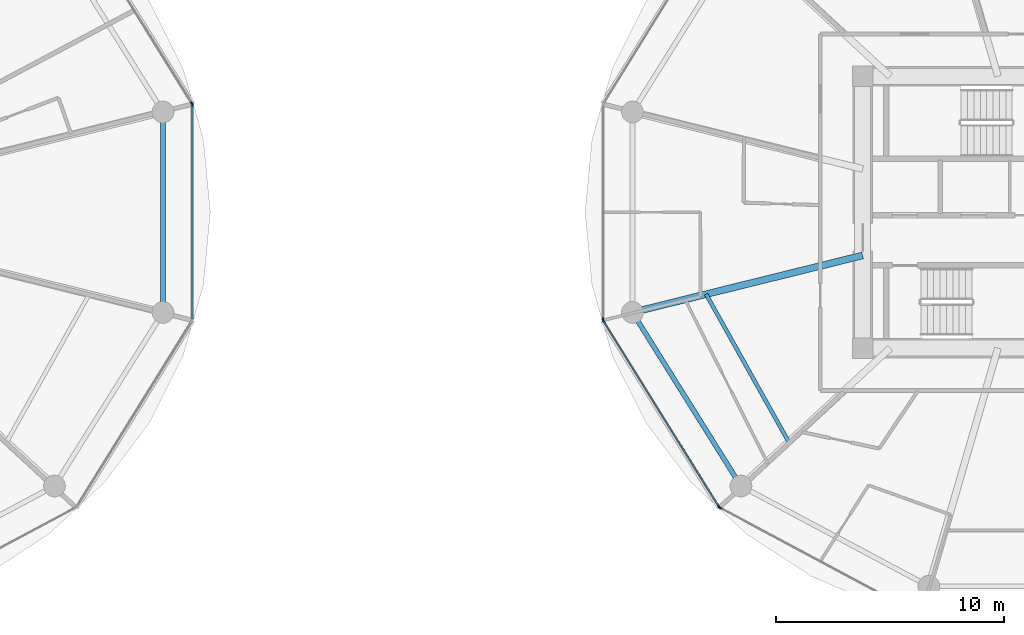
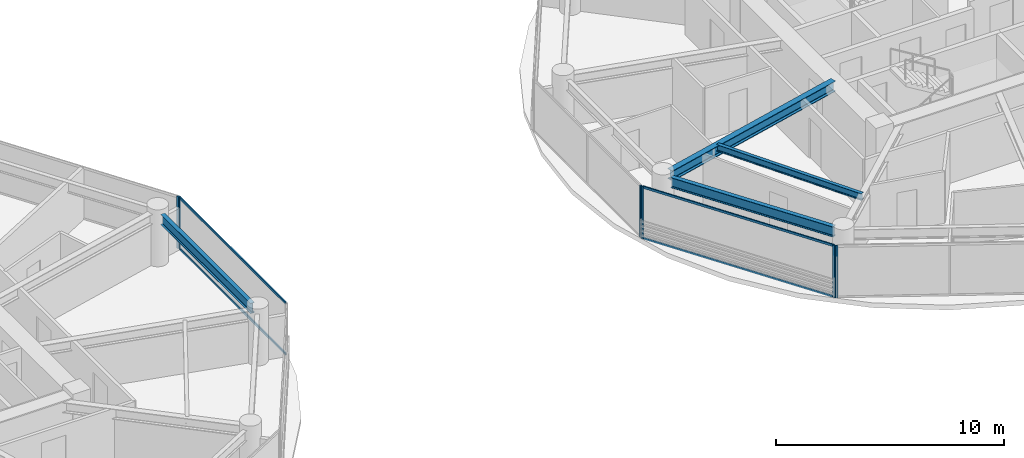
# One storey, part 6 of 27: 10 members, 4 beams, 5 elements without a shape of their own.
"""IFC4 building model written with IfcOpenShell, lengths in metres."""

from ifc_helpers import new_model, si_unit, direction, frame, origin, origin_2d, place, context, subcontext, project, spatial, rectangle, i_section, extrude, source, transform, mapped, material, layer, layer_set, material_profile, profile_set, type_object, type_shapes, element, aggregate, save


model = new_model("IFC4")

# Units and contexts
model_context = context("Model", 3, precision=1e-05, world=origin(), true_north=direction((0.0, 1.0)))
body_context = subcontext(model_context, "Body", "Model", "MODEL_VIEW")
ifc_project = project(units=[si_unit("LENGTHUNIT", "METRE"), si_unit("AREAUNIT", "SQUARE_METRE"), si_unit("VOLUMEUNIT", "CUBIC_METRE"), si_unit("PLANEANGLEUNIT", "RADIAN"), si_unit("MASSUNIT", "GRAM", prefix="KILO")], contexts=[model_context])

# Site, building, storey
site_placement = place(None, origin())
site = spatial("IfcSite", under=ifc_project, at=site_placement, CompositionType="ELEMENT")
building_placement = place(site_placement, origin())
building = spatial("IfcBuilding", under=site, at=building_placement, Name="Norrkilde Senior Care Towers", CompositionType="ELEMENT")
storey_placement = place(building_placement, frame((0.0, 0.0, 30.75)))
storey = spatial("IfcBuildingStorey", under=building, at=storey_placement, Name="L08", CompositionType="ELEMENT", Elevation=30.75)

# Beams
ifc_material_1 = material(Name="Steel S355", Category="steel")
ifc_material_profile_1 = material_profile(ifc_material_1, i_section(OverallWidth=0.2099609375, OverallDepth=0.550048828125, WebThickness=0.010986328125, FlangeThickness=0.01708984375, FilletRadius=0.02392578125, at=origin_2d()), Name="IPE 550")
ifc_profile_set_1 = profile_set([ifc_material_profile_1], Name="Steel S355")
beam_type_1 = type_object("IfcBeamType", Name="Perimeter Ring Spandrel Z1 IPE550", PredefinedType="SPANDREL", material=ifc_profile_set_1)
shared_shape_1 = source(origin(), body_context, "Body", "SweptSolid", [
    extrude(i_section(OverallWidth=0.2099609375, OverallDepth=0.550048828125, WebThickness=0.010986328125, FlangeThickness=0.01708984375, FilletRadius=0.02392578125, at=origin_2d()), origin(), (0.0, 0.0, 1.0), 8.090576171875),
])
beam_1_placement = place(storey_placement, frame((10.505859375, -4.755859375, 2.514892578125), z_axis=(0.530004364821, -0.84799491347, 0.0), x_axis=(0.84799491347, 0.530004364821, 0.0)))
element("IfcBeam", 1, at=beam_1_placement, inside=storey, type_object=beam_type_1, Name="L08 Drum E Perimeter Spandrel 07", PredefinedType="SPANDREL", context=body_context, shape_type="MappedRepresentation", body=[
    mapped(shared_shape_1, transform((0.0, 0.0, 0.0), x_axis=(1.0, 0.0, 0.0), y_axis=(0.0, 1.0, 0.0), z_axis=(0.0, 0.0, 1.0), scale=1.0)),
])
ifc_material_profile_2 = material_profile(ifc_material_1, i_section(OverallWidth=0.300048828125, OverallDepth=0.550048828125, WebThickness=0.014892578125, FlangeThickness=0.029052734375, FilletRadius=0.027099609375, at=origin_2d()), Name="HEB 550")
ifc_profile_set_2 = profile_set([ifc_material_profile_2], Name="Steel S355")
beam_type_2 = type_object("IfcBeamType", Name="Radial Floor Beam Z1 HEB550", PredefinedType="BEAM", material=ifc_profile_set_2)
shared_shape_2 = source(origin(), body_context, "Body", "SweptSolid", [
    extrude(i_section(OverallWidth=0.300048828125, OverallDepth=0.550048828125, WebThickness=0.014892578125, FlangeThickness=0.029052734375, FilletRadius=0.027099609375, at=origin_2d()), origin(), (0.0, 0.0, 1.0), 9.94384765625),
])
type_shapes(beam_type_2, [shared_shape_2])
beam_2_placement = place(storey_placement, frame((20.35009765625, -1.893310546875, 2.514892578125), z_axis=(-0.970707425182, -0.240264634718, 0.0), x_axis=(0.240264634718, -0.970707425182, 0.0)))
element("IfcBeam", 2, at=beam_2_placement, inside=storey, type_object=beam_type_2, Name="L08 Drum E Radial Floor Beam 07", PredefinedType="BEAM", context=body_context, shape_type="MappedRepresentation", body=[
    mapped(shared_shape_2, transform((0.0, 0.0, 0.0), x_axis=(1.0, 0.0, 0.0), y_axis=(0.0, 1.0, 0.0), z_axis=(0.0, 0.0, 1.0), scale=1.0)),
])
shared_shape_3 = source(origin(), body_context, "Body", "SweptSolid", [
    extrude(i_section(OverallWidth=0.2099609375, OverallDepth=0.550048828125, WebThickness=0.010986328125, FlangeThickness=0.01708984375, FilletRadius=0.02392578125, at=origin_2d()), origin(), (0.0, 0.0, 1.0), 7.90380859375),
])
type_shapes(beam_type_1, [shared_shape_1, shared_shape_3])
beam_3_placement = place(storey_placement, frame((-10.275146484375, -3.951904296875, 2.514892578125), z_axis=(0.0, 1.0, 0.0), x_axis=(-1.0, 0.0, 0.0)))
element("IfcBeam", 3, at=beam_3_placement, inside=storey, type_object=beam_type_1, Name="L08 Drum W Perimeter Spandrel 12", PredefinedType="SPANDREL", context=body_context, shape_type="MappedRepresentation", body=[
    mapped(shared_shape_3, transform((0.0, 0.0, 0.0), x_axis=(1.0, 0.0, 0.0), y_axis=(0.0, 1.0, 0.0), z_axis=(0.0, 0.0, 1.0), scale=1.0)),
])
ifc_material_profile_3 = material_profile(ifc_material_1, i_section(OverallWidth=0.169921875, OverallDepth=0.360107421875, WebThickness=0.008056640625, FlangeThickness=0.0126953125, FilletRadius=0.01806640625, at=origin_2d()), Name="IPE 360")
ifc_profile_set_3 = profile_set([ifc_material_profile_3], Name="Steel S355")
beam_type_3 = type_object("IfcBeamType", Name="Secondary Floor Joist IPE360", PredefinedType="JOIST", material=ifc_profile_set_3)
shared_shape_4 = source(origin(), body_context, "Body", "SweptSolid", [
    extrude(i_section(OverallWidth=0.169921875, OverallDepth=0.360107421875, WebThickness=0.008056640625, FlangeThickness=0.0126953125, FilletRadius=0.01806640625, at=origin_2d()), origin(), (0.0, 0.0, 1.0), 7.40771484375),
])
type_shapes(beam_type_3, [shared_shape_4])
beam_4_placement = place(storey_placement, frame((13.499267578125, -3.589111328125, 2.610107421875), z_axis=(0.488167754092, -0.872749817453, 0.0), x_axis=(0.872749817453, 0.488167754092, 0.0)))
element("IfcBeam", 4, at=beam_4_placement, inside=storey, type_object=beam_type_3, Name="L08 Drum E Secondary Floor Joist 3", PredefinedType="JOIST", context=body_context, shape_type="MappedRepresentation", body=[
    mapped(shared_shape_4, transform((0.0, 0.0, 0.0), x_axis=(1.0, 0.0, 0.0), y_axis=(0.0, 1.0, 0.0), z_axis=(0.0, 0.0, 1.0), scale=1.0)),
])

# Curtain wall, member
ifc_material_2 = material(Name="Triple Low-E Insulated Glazing", Category="glass")
ifc_layer = layer(ifc_material_2, 0.199951171875)
ifc_layer_set = layer_set([ifc_layer], Name="Triple Low-E Insulated Glazing")
curtain_wall_type = type_object("IfcCurtainWallType", Name="CW2 Zone 1 Memory Care Curtain Wall", PredefinedType="NOTDEFINED", material=ifc_layer_set)
curtain_wall_1_placement = place(storey_placement, origin())
curtain_wall_1 = element("IfcCurtainWall", 5, at=curtain_wall_1_placement, inside=storey, type_object=curtain_wall_type, Name="L08 Drum W Curtain Wall 00", PredefinedType="NOTDEFINED")
ifc_material_3 = material(Name="Anodised Aluminium", Category="aluminium")
ifc_material_profile_4 = material_profile(ifc_material_3, rectangle(XDim=0.06494140625, YDim=0.159912109375, at=origin_2d()), Name="ALU MULL 65x160")
ifc_profile_set_4 = profile_set([ifc_material_profile_4], Name="Anodised Aluminium")
member_type_1 = type_object("IfcMemberType", Name="Curtain Wall Mullion Z1-Z2 65x160", PredefinedType="MULLION", material=ifc_profile_set_4)
shared_shape_5 = source(origin(), body_context, "Body", "SweptSolid", [
    extrude(rectangle(XDim=0.06494140625, YDim=0.159912109375, at=origin_2d()), origin(), (0.0, 0.0, 1.0), 2.7900390625),
])
type_shapes(member_type_1, [shared_shape_5])
member_1_placement = place(storey_placement, frame((-9.0078125, 4.7587890625, 0.0), z_axis=(0.0, 0.0, 1.0), x_axis=(0.849305943117, 0.527900951871, 0.0)))
member_1 = element("IfcMember", 6, at=member_1_placement, type_object=member_type_1, Name="CW-2 mullion 2", PredefinedType="MULLION", context=body_context, shape_type="MappedRepresentation", body=[
    mapped(shared_shape_5, transform((0.0, 0.0, 0.0), x_axis=(1.0, 0.0, 0.0), y_axis=(0.0, 1.0, 0.0), z_axis=(0.0, 0.0, 1.0), scale=1.0)),
])
aggregate(curtain_wall_1, [member_1])

curtain_wall_2_placement = place(storey_placement, origin())
curtain_wall_2 = element("IfcCurtainWall", 7, at=curtain_wall_2_placement, inside=storey, type_object=curtain_wall_type, Name="L08 Drum W Curtain Wall 11", PredefinedType="NOTDEFINED")
member_2_placement = place(storey_placement, frame((-8.990478515625, 4.69873046875, 0.0), z_axis=(0.0, 0.0, 1.0), x_axis=(1.0, 0.0, 0.0)))
member_2 = element("IfcMember", 8, at=member_2_placement, type_object=member_type_1, Name="CW-2 mullion 1", PredefinedType="MULLION", context=body_context, shape_type="MappedRepresentation", body=[
    mapped(shared_shape_5, transform((0.0, 0.0, 0.0), x_axis=(1.0, 0.0, 0.0), y_axis=(0.0, 1.0, 0.0), z_axis=(0.0, 0.0, 1.0), scale=1.0)),
])

curtain_wall_3_placement = place(storey_placement, origin())
curtain_wall_3 = element("IfcCurtainWall", 9, at=curtain_wall_3_placement, inside=storey, type_object=curtain_wall_type, Name="L08 Drum E Curtain Wall 05", PredefinedType="NOTDEFINED")
member_3_placement = place(storey_placement, frame((8.990478515625, -4.69873046875, 0.0), z_axis=(0.0, 0.0, 1.0), x_axis=(-1.0, 0.0, 0.0)))
member_3 = element("IfcMember", 10, at=member_3_placement, type_object=member_type_1, Name="CW-2 mullion 1", PredefinedType="MULLION", context=body_context, shape_type="MappedRepresentation", body=[
    mapped(shared_shape_5, transform((0.0, 0.0, 0.0), x_axis=(1.0, 0.0, 0.0), y_axis=(0.0, 1.0, 0.0), z_axis=(0.0, 0.0, 1.0), scale=1.0)),
])
aggregate(curtain_wall_3, [member_3])

# Curtain wall, members
curtain_wall_4_placement = place(storey_placement, origin())
curtain_wall_4 = element("IfcCurtainWall", 11, at=curtain_wall_4_placement, inside=storey, type_object=curtain_wall_type, Name="L08 Drum E Curtain Wall 06", PredefinedType="NOTDEFINED")
member_4_placement = place(storey_placement, frame((14.06689453125, -12.898193359375, 0.0), z_axis=(0.0, 0.0, 1.0), x_axis=(-0.849305943117, -0.527900951871, 0.0)))
member_4 = element("IfcMember", 12, at=member_4_placement, type_object=member_type_1, Name="CW-2 mullion 1", PredefinedType="MULLION", context=body_context, shape_type="MappedRepresentation", body=[
    mapped(shared_shape_5, transform((0.0, 0.0, 0.0), x_axis=(1.0, 0.0, 0.0), y_axis=(0.0, 1.0, 0.0), z_axis=(0.0, 0.0, 1.0), scale=1.0)),
])
member_5_placement = place(storey_placement, frame((9.0078125, -4.7587890625, 0.0), z_axis=(0.0, 0.0, 1.0), x_axis=(-0.849305943117, -0.527900951871, 0.0)))
member_5 = element("IfcMember", 13, at=member_5_placement, type_object=member_type_1, Name="CW-2 mullion 2", PredefinedType="MULLION", context=body_context, shape_type="MappedRepresentation", body=[
    mapped(shared_shape_5, transform((0.0, 0.0, 0.0), x_axis=(1.0, 0.0, 0.0), y_axis=(0.0, 1.0, 0.0), z_axis=(0.0, 0.0, 1.0), scale=1.0)),
])

# Curtain wall, member
curtain_wall_5_placement = place(storey_placement, origin())
curtain_wall_5 = element("IfcCurtainWall", 14, at=curtain_wall_5_placement, inside=storey, type_object=curtain_wall_type, Name="L08 Drum E Curtain Wall 07", PredefinedType="NOTDEFINED")
member_6_placement = place(storey_placement, frame((14.11279296875, -12.941162109375, 0.0), z_axis=(0.0, 0.0, 1.0), x_axis=(-0.472607802456, -0.881272866403, 0.0)))
member_6 = element("IfcMember", 15, at=member_6_placement, type_object=member_type_1, Name="CW-2 mullion 2", PredefinedType="MULLION", context=body_context, shape_type="MappedRepresentation", body=[
    mapped(shared_shape_5, transform((0.0, 0.0, 0.0), x_axis=(1.0, 0.0, 0.0), y_axis=(0.0, 1.0, 0.0), z_axis=(0.0, 0.0, 1.0), scale=1.0)),
])
aggregate(curtain_wall_5, [member_6])

# Member
ifc_material_profile_5 = material_profile(ifc_material_3, rectangle(XDim=0.06005859375, YDim=0.1201171875, at=origin_2d()), Name="ALU TRAN 60x120")
ifc_profile_set_5 = profile_set([ifc_material_profile_5], Name="Anodised Aluminium")
member_type_2 = type_object("IfcMemberType", Name="Curtain Wall Transom Typical 60x120", PredefinedType="USERDEFINED", material=ifc_profile_set_5)
shared_shape_6 = source(origin(), body_context, "Body", "SweptSolid", [
    extrude(rectangle(XDim=0.06005859375, YDim=0.1201171875, at=origin_2d()), origin(), (0.0, 0.0, 1.0), 9.5185546875),
])
member_7_placement = place(storey_placement, frame((14.0498046875, -12.87060546875, 0.030029296875), z_axis=(-0.527901620669, 0.849305527413, 0.0), x_axis=(-0.849305527413, -0.527901620669, 0.0)))
member_7 = element("IfcMember", 16, at=member_7_placement, type_object=member_type_2, Name="CW-2 transom 1.1", ObjectType="TRANSOM", PredefinedType="USERDEFINED", context=body_context, shape_type="MappedRepresentation", body=[
    mapped(shared_shape_6, transform((0.0, 0.0, 0.0), x_axis=(1.0, 0.0, 0.0), y_axis=(0.0, 1.0, 0.0), z_axis=(0.0, 0.0, 1.0), scale=1.0)),
])

member_8_placement = place(storey_placement, frame((14.0498046875, -12.87060546875, 2.760009765625), z_axis=(-0.527901620669, 0.849305527413, 0.0), x_axis=(-0.849305527413, -0.527901620669, 0.0)))
member_8 = element("IfcMember", 17, at=member_8_placement, type_object=member_type_2, Name="CW-2 transom 1.2", ObjectType="TRANSOM", PredefinedType="USERDEFINED", context=body_context, shape_type="MappedRepresentation", body=[
    mapped(shared_shape_6, transform((0.0, 0.0, 0.0), x_axis=(1.0, 0.0, 0.0), y_axis=(0.0, 1.0, 0.0), z_axis=(0.0, 0.0, 1.0), scale=1.0)),
])

aggregate(curtain_wall_4, [member_4, member_5, member_7, member_8])

shared_shape_7 = source(origin(), body_context, "Body", "SweptSolid", [
    extrude(rectangle(XDim=0.06005859375, YDim=0.1201171875, at=origin_2d()), origin(), (0.0, 0.0, 1.0), 9.33251953125),
])
type_shapes(member_type_2, [shared_shape_6, shared_shape_7])
member_9_placement = place(storey_placement, frame((-8.990478515625, 4.666259765625, 0.030029296875), z_axis=(0.0, -1.0, 0.0), x_axis=(1.0, 0.0, 0.0)))
member_9 = element("IfcMember", 18, at=member_9_placement, type_object=member_type_2, Name="CW-2 transom 1.1", ObjectType="TRANSOM", PredefinedType="USERDEFINED", context=body_context, shape_type="MappedRepresentation", body=[
    mapped(shared_shape_7, transform((0.0, 0.0, 0.0), x_axis=(1.0, 0.0, 0.0), y_axis=(0.0, 1.0, 0.0), z_axis=(0.0, 0.0, 1.0), scale=1.0)),
])

member_10_placement = place(storey_placement, frame((-8.990478515625, 4.666259765625, 2.760009765625), z_axis=(0.0, -1.0, 0.0), x_axis=(1.0, 0.0, 0.0)))
member_10 = element("IfcMember", 19, at=member_10_placement, type_object=member_type_2, Name="CW-2 transom 1.2", ObjectType="TRANSOM", PredefinedType="USERDEFINED", context=body_context, shape_type="MappedRepresentation", body=[
    mapped(shared_shape_7, transform((0.0, 0.0, 0.0), x_axis=(1.0, 0.0, 0.0), y_axis=(0.0, 1.0, 0.0), z_axis=(0.0, 0.0, 1.0), scale=1.0)),
])

aggregate(curtain_wall_2, [member_2, member_9, member_10])

save(model, "model.ifc")
